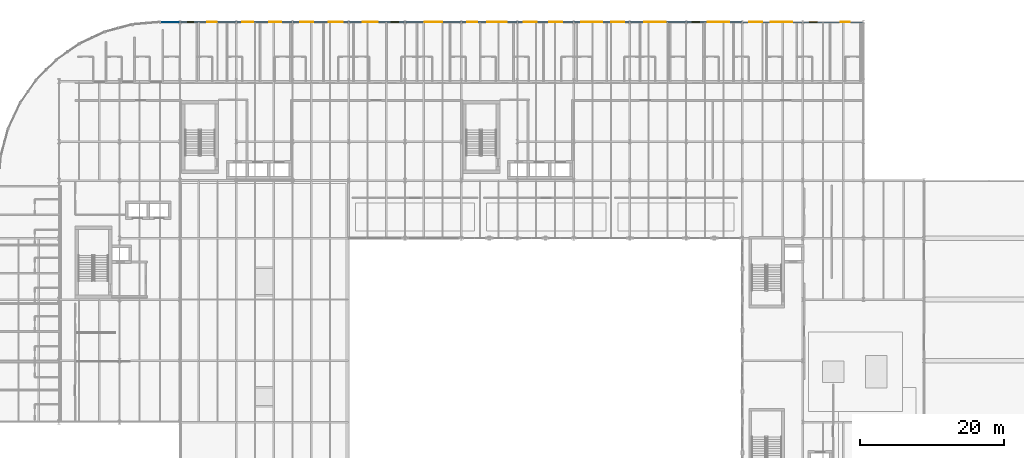
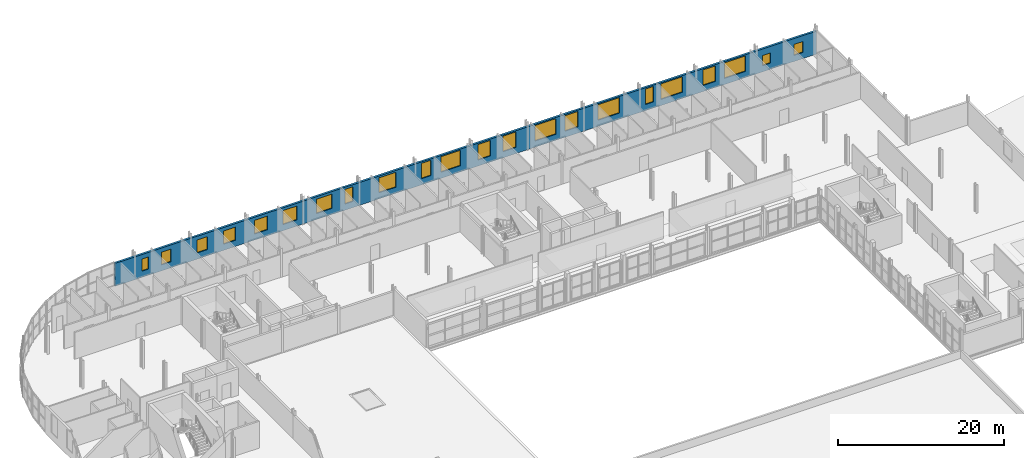
# One storey, part 48 of 58: 22 windows, 1 wall, 22 openings.
"""IFC4 building model written with IfcOpenShell, lengths in metres."""

from ifc_helpers import new_model, si_unit, direction, frame, frame_2d, origin, place, context, subcontext, project, spatial, rectangle, extrude, material, layer, layer_set, type_object, element, fill, save


model = new_model("IFC4")

# Units and contexts
model_context = context("Model", 3, precision=1e-05, world=origin(), true_north=direction((0.0, 1.0)))
body_context = subcontext(model_context, "Body", "Model", "MODEL_VIEW")
ifc_project = project(units=[si_unit("LENGTHUNIT", "METRE"), si_unit("AREAUNIT", "SQUARE_METRE"), si_unit("VOLUMEUNIT", "CUBIC_METRE"), si_unit("PLANEANGLEUNIT", "RADIAN"), si_unit("MASSUNIT", "GRAM", prefix="KILO")], contexts=[model_context])

# Site, building, storey
site_placement = place(None, origin())
site = spatial("IfcSite", under=ifc_project, at=site_placement, CompositionType="ELEMENT")
building_placement = place(site_placement, origin())
building = spatial("IfcBuilding", under=site, at=building_placement, Name="Sefraquen Railside Congress Hotel", CompositionType="ELEMENT")
storey_placement = place(building_placement, frame((0.0, 0.0, 16.199951171875)))
storey = spatial("IfcBuildingStorey", under=building, at=storey_placement, Name="L03", CompositionType="ELEMENT", Elevation=16.199951171875)

# Wall, openings, windows
ifc_material_1 = material(Name="Ochre Rabat calcarenite limestone and Concrete C40/50 backing", Category="masonry")
ifc_layer = layer(ifc_material_1, 0.300048828125)
ifc_layer_set = layer_set([ifc_layer], Name="Ochre Rabat calcarenite limestone and Concrete C40/50 backing")
wall_type = type_object("IfcWallType", Name="TW-EW-300", PredefinedType="STANDARD", material=ifc_layer_set)
wall_placement = place(storey_placement, frame((22.5, 118.0, 0.0), z_axis=(0.0, 0.0, 1.0), x_axis=(1.0, 0.0, 0.0)))
wall = element("IfcWall", 1, at=wall_placement, inside=storey, type_object=wall_type, Name="Hotel L03 North Boulevard limestone facade wall", PredefinedType="STANDARD", context=body_context, shape_type="SweptSolid", body=[
    extrude(rectangle(XDim=97.5, YDim=0.300048828125, at=frame_2d((48.75, 0.0))), origin(), (0.0, 0.0, 1.0), 3.360107421875),
])
opening_1_placement = place(wall_placement, frame((3.720947265625, 0.0, 0.89990234375)))
opening_1 = element("IfcOpeningElement", 2, at=opening_1_placement, cuts=wall, Name="Opening WN-01", PredefinedType="OPENING", context=body_context, shape_type="SweptSolid", body=[
    extrude(rectangle(XDim=0.89990234375, YDim=1.800048828125, at=frame_2d((0.449951171875, 0.89990234375))), frame((0.0, 0.159912109375, 0.0), z_axis=(0.0, -1.0, 0.0), x_axis=(1.0, 0.0, 0.0)), (0.0, 0.0, 1.0), 0.320068359375),
])
opening_2_placement = place(wall_placement, frame((6.447021484375, 0.0, 0.89990234375)))
opening_2 = element("IfcOpeningElement", 3, at=opening_2_placement, cuts=wall, Name="Opening WN-02", PredefinedType="OPENING", context=body_context, shape_type="SweptSolid", body=[
    extrude(rectangle(XDim=1.35009765625, YDim=1.85009765625, at=frame_2d((0.675048828125, 0.925048828125))), frame((0.0, 0.159912109375, 0.0), z_axis=(0.0, -1.0, 0.0), x_axis=(1.0, 0.0, 0.0)), (0.0, 0.0, 1.0), 0.320068359375),
])
opening_3_placement = place(wall_placement, frame((11.363037109375, 0.0, 0.89990234375)))
opening_3 = element("IfcOpeningElement", 4, at=opening_3_placement, cuts=wall, Name="Opening WN-03", PredefinedType="OPENING", context=body_context, shape_type="SweptSolid", body=[
    extrude(rectangle(XDim=1.5, YDim=1.89990234375, at=frame_2d((0.75, 0.949951171875))), frame((0.0, 0.159912109375, 0.0), z_axis=(0.0, -1.0, 0.0), x_axis=(1.0, 0.0, 0.0)), (0.0, 0.0, 1.0), 0.320068359375),
])
opening_4_placement = place(wall_placement, frame((15.077880859375, 0.0, 0.89990234375)))
opening_4 = element("IfcOpeningElement", 5, at=opening_4_placement, cuts=wall, Name="Opening WN-04", PredefinedType="OPENING", context=body_context, shape_type="SweptSolid", body=[
    extrude(rectangle(XDim=1.64990234375, YDim=1.949951171875, at=frame_2d((0.824951171875, 0.97509765625))), frame((0.0, 0.159912109375, 0.0), z_axis=(0.0, -1.0, 0.0), x_axis=(1.0, 0.0, 0.0)), (0.0, 0.0, 1.0), 0.320068359375),
])
opening_5_placement = place(wall_placement, frame((19.39501953125, 0.0, 0.89990234375)))
opening_5 = element("IfcOpeningElement", 6, at=opening_5_placement, cuts=wall, Name="Opening WN-05", PredefinedType="OPENING", context=body_context, shape_type="SweptSolid", body=[
    extrude(rectangle(XDim=1.800048828125, YDim=2.0, at=frame_2d((0.89990234375, 1.0))), frame((0.0, 0.159912109375, 0.0), z_axis=(0.0, -1.0, 0.0), x_axis=(1.0, 0.0, 0.0)), (0.0, 0.0, 1.0), 0.320068359375),
])
opening_6_placement = place(wall_placement, frame((23.31005859375, 0.0, 0.89990234375)))
opening_6 = element("IfcOpeningElement", 7, at=opening_6_placement, cuts=wall, Name="Opening WN-06", PredefinedType="OPENING", context=body_context, shape_type="SweptSolid", body=[
    extrude(rectangle(XDim=1.949951171875, YDim=2.050048828125, at=frame_2d((0.97509765625, 1.02490234375))), frame((0.0, 0.159912109375, 0.0), z_axis=(0.0, -1.0, 0.0), x_axis=(1.0, 0.0, 0.0)), (0.0, 0.0, 1.0), 0.320068359375),
])
opening_7_placement = place(wall_placement, frame((28.02587890625, 0.0, 0.89990234375)))
opening_7 = element("IfcOpeningElement", 8, at=opening_7_placement, cuts=wall, Name="Opening WN-07", PredefinedType="OPENING", context=body_context, shape_type="SweptSolid", body=[
    extrude(rectangle(XDim=2.10009765625, YDim=2.10009765625, at=frame_2d((1.050048828125, 1.050048828125))), frame((0.0, 0.159912109375, 0.0), z_axis=(0.0, -1.0, 0.0), x_axis=(1.0, 0.0, 0.0)), (0.0, 0.0, 1.0), 0.320068359375),
])
opening_8_placement = place(wall_placement, frame((31.94091796875, 0.0, 0.89990234375)))
opening_8 = element("IfcOpeningElement", 9, at=opening_8_placement, cuts=wall, Name="Opening WN-08", PredefinedType="OPENING", context=body_context, shape_type="SweptSolid", body=[
    extrude(rectangle(XDim=1.10009765625, YDim=2.14990234375, at=frame_2d((0.550048828125, 1.074951171875))), frame((0.0, 0.159912109375, 0.0), z_axis=(0.0, -1.0, 0.0), x_axis=(1.0, 0.0, 0.0)), (0.0, 0.0, 1.0), 0.320068359375),
])
opening_9_placement = place(wall_placement, frame((36.656982421875, 0.0, 0.89990234375)))
opening_9 = element("IfcOpeningElement", 10, at=opening_9_placement, cuts=wall, Name="Opening WN-09", PredefinedType="OPENING", context=body_context, shape_type="SweptSolid", body=[
    extrude(rectangle(XDim=2.39990234375, YDim=2.199951171875, at=frame_2d((1.199951171875, 1.10009765625))), frame((0.0, 0.159912109375, 0.0), z_axis=(0.0, -1.0, 0.0), x_axis=(1.0, 0.0, 0.0)), (0.0, 0.0, 1.0), 0.320068359375),
])
opening_10_placement = place(wall_placement, frame((42.573974609375, 0.0, 0.89990234375)))
opening_10 = element("IfcOpeningElement", 11, at=opening_10_placement, cuts=wall, Name="Opening WN-10", PredefinedType="OPENING", context=body_context, shape_type="SweptSolid", body=[
    extrude(rectangle(XDim=1.35009765625, YDim=2.25, at=frame_2d((0.675048828125, 1.125))), frame((0.0, 0.159912109375, 0.0), z_axis=(0.0, -1.0, 0.0), x_axis=(1.0, 0.0, 0.0)), (0.0, 0.0, 1.0), 0.320068359375),
])
opening_11_placement = place(wall_placement, frame((45.2890625, 0.0, 0.89990234375)))
opening_11 = element("IfcOpeningElement", 12, at=opening_11_placement, cuts=wall, Name="Opening WN-11", PredefinedType="OPENING", context=body_context, shape_type="SweptSolid", body=[
    extrude(rectangle(XDim=2.699951171875, YDim=2.280029296875, at=frame_2d((1.35009765625, 1.14013671875))), frame((0.0, 0.159912109375, 0.0), z_axis=(0.0, -1.0, 0.0), x_axis=(1.0, 0.0, 0.0)), (0.0, 0.0, 1.0), 0.320068359375),
])
opening_12_placement = place(wall_placement, frame((50.406005859375, 0.0, 0.89990234375)))
opening_12 = element("IfcOpeningElement", 13, at=opening_12_placement, cuts=wall, Name="Opening WN-12", PredefinedType="OPENING", context=body_context, shape_type="SweptSolid", body=[
    extrude(rectangle(XDim=1.800048828125, YDim=2.280029296875, at=frame_2d((0.89990234375, 1.14013671875))), frame((0.0, 0.159912109375, 0.0), z_axis=(0.0, -1.0, 0.0), x_axis=(1.0, 0.0, 0.0)), (0.0, 0.0, 1.0), 0.320068359375),
])
opening_13_placement = place(wall_placement, frame((53.922119140625, 0.0, 0.89990234375)))
opening_13 = element("IfcOpeningElement", 14, at=opening_13_placement, cuts=wall, Name="Opening WN-13", PredefinedType="OPENING", context=body_context, shape_type="SweptSolid", body=[
    extrude(rectangle(XDim=1.800048828125, YDim=2.280029296875, at=frame_2d((0.89990234375, 1.14013671875))), frame((0.0, 0.159912109375, 0.0), z_axis=(0.0, -1.0, 0.0), x_axis=(1.0, 0.0, 0.0)), (0.0, 0.0, 1.0), 0.320068359375),
])
opening_14_placement = place(wall_placement, frame((58.33203125, 0.0, 0.89990234375)))
opening_14 = element("IfcOpeningElement", 15, at=opening_14_placement, cuts=wall, Name="Opening WN-14", PredefinedType="OPENING", context=body_context, shape_type="SweptSolid", body=[
    extrude(rectangle(XDim=2.9609375, YDim=2.280029296875, at=frame_2d((1.48046875, 1.14013671875))), frame((0.0, 0.159912109375, 0.0), z_axis=(0.0, -1.0, 0.0), x_axis=(1.0, 0.0, 0.0)), (0.0, 0.0, 1.0), 0.320068359375),
])
opening_15_placement = place(wall_placement, frame((62.512939453125, 0.0, 0.89990234375)))
opening_15 = element("IfcOpeningElement", 16, at=opening_15_placement, cuts=wall, Name="Opening WN-15", PredefinedType="OPENING", context=body_context, shape_type="SweptSolid", body=[
    extrude(rectangle(XDim=1.800048828125, YDim=2.280029296875, at=frame_2d((0.89990234375, 1.14013671875))), frame((0.0, 0.159912109375, 0.0), z_axis=(0.0, -1.0, 0.0), x_axis=(1.0, 0.0, 0.0)), (0.0, 0.0, 1.0), 0.320068359375),
])
opening_16_placement = place(wall_placement, frame((67.114013671875, 0.0, 0.89990234375)))
opening_16 = element("IfcOpeningElement", 17, at=opening_16_placement, cuts=wall, Name="Opening WN-16", PredefinedType="OPENING", context=body_context, shape_type="SweptSolid", body=[
    extrude(rectangle(XDim=2.9609375, YDim=2.280029296875, at=frame_2d((1.48046875, 1.14013671875))), frame((0.0, 0.159912109375, 0.0), z_axis=(0.0, -1.0, 0.0), x_axis=(1.0, 0.0, 0.0)), (0.0, 0.0, 1.0), 0.320068359375),
])
opening_17_placement = place(wall_placement, frame((73.695068359375, 0.0, 0.89990234375)))
opening_17 = element("IfcOpeningElement", 18, at=opening_17_placement, cuts=wall, Name="Opening WN-17", PredefinedType="OPENING", context=body_context, shape_type="SweptSolid", body=[
    extrude(rectangle(XDim=1.10009765625, YDim=2.280029296875, at=frame_2d((0.550048828125, 1.14013671875))), frame((0.0, 0.159912109375, 0.0), z_axis=(0.0, -1.0, 0.0), x_axis=(1.0, 0.0, 0.0)), (0.0, 0.0, 1.0), 0.320068359375),
])
opening_18_placement = place(wall_placement, frame((75.89501953125, 0.0, 0.89990234375)))
opening_18 = element("IfcOpeningElement", 19, at=opening_18_placement, cuts=wall, Name="Opening WN-18", PredefinedType="OPENING", context=body_context, shape_type="SweptSolid", body=[
    extrude(rectangle(XDim=2.9609375, YDim=2.280029296875, at=frame_2d((1.48046875, 1.14013671875))), frame((0.0, 0.159912109375, 0.0), z_axis=(0.0, -1.0, 0.0), x_axis=(1.0, 0.0, 0.0)), (0.0, 0.0, 1.0), 0.320068359375),
])
opening_19_placement = place(wall_placement, frame((81.676025390625, 0.0, 0.89990234375)))
opening_19 = element("IfcOpeningElement", 20, at=opening_19_placement, cuts=wall, Name="Opening WN-19", PredefinedType="OPENING", context=body_context, shape_type="SweptSolid", body=[
    extrude(rectangle(XDim=1.800048828125, YDim=2.280029296875, at=frame_2d((0.89990234375, 1.14013671875))), frame((0.0, 0.159912109375, 0.0), z_axis=(0.0, -1.0, 0.0), x_axis=(1.0, 0.0, 0.0)), (0.0, 0.0, 1.0), 0.320068359375),
])
opening_20_placement = place(wall_placement, frame((84.677001953125, 0.0, 0.89990234375)))
opening_20 = element("IfcOpeningElement", 21, at=opening_20_placement, cuts=wall, Name="Opening WN-20", PredefinedType="OPENING", context=body_context, shape_type="SweptSolid", body=[
    extrude(rectangle(XDim=2.9609375, YDim=2.280029296875, at=frame_2d((1.48046875, 1.14013671875))), frame((0.0, 0.159912109375, 0.0), z_axis=(0.0, -1.0, 0.0), x_axis=(1.0, 0.0, 0.0)), (0.0, 0.0, 1.0), 0.320068359375),
])
opening_21_placement = place(wall_placement, frame((89.9990234375, 0.0, 0.89990234375)))
opening_21 = element("IfcOpeningElement", 22, at=opening_21_placement, cuts=wall, Name="Opening WN-21", PredefinedType="OPENING", context=body_context, shape_type="SweptSolid", body=[
    extrude(rectangle(XDim=1.10009765625, YDim=1.5, at=frame_2d((0.550048828125, 0.75))), frame((0.0, 0.159912109375, 0.0), z_axis=(0.0, -1.0, 0.0), x_axis=(1.0, 0.0, 0.0)), (0.0, 0.0, 1.0), 0.320068359375),
])
opening_22_placement = place(wall_placement, frame((94.35009765625, 0.0, 0.89990234375)))
opening_22 = element("IfcOpeningElement", 23, at=opening_22_placement, cuts=wall, Name="Opening WN-22", PredefinedType="OPENING", context=body_context, shape_type="SweptSolid", body=[
    extrude(rectangle(XDim=1.25, YDim=1.60009765625, at=frame_2d((0.625, 0.800048828125))), frame((0.0, 0.159912109375, 0.0), z_axis=(0.0, -1.0, 0.0), x_axis=(1.0, 0.0, 0.0)), (0.0, 0.0, 1.0), 0.320068359375),
])
ifc_material_2 = material(Name="Solar-control low-E double glazing in bronze-anodised frame", Category="glass")
window_type_1 = type_object("IfcWindowType", Name="TWN-W-01", PartitioningType="DOUBLE_PANEL_VERTICAL", PredefinedType="WINDOW", material=ifc_material_2)
window_1_placement = place(opening_1_placement, origin())
window_1 = element("IfcWindow", 24, at=window_1_placement, inside=storey, type_object=window_type_1, Name="Guest room north window SP-L03-RM-001", OverallHeight=1.800048828125, OverallWidth=0.89990234375, PartitioningType="DOUBLE_PANEL_VERTICAL", PredefinedType="WINDOW", context=body_context, shape_type="SweptSolid", body=[
    extrude(rectangle(XDim=0.89990234375, YDim=1.800048828125, at=frame_2d((0.449951171875, 0.89990234375))), frame((0.0, 0.030029296875, 0.0), z_axis=(0.0, -1.0, 0.0), x_axis=(1.0, 0.0, 0.0)), (0.0, 0.0, 1.0), 0.06005859375),
])
fill(opening_1, window_1)
window_type_2 = type_object("IfcWindowType", Name="TWN-W-02", PartitioningType="DOUBLE_PANEL_VERTICAL", PredefinedType="WINDOW", material=ifc_material_2)
window_2_placement = place(opening_2_placement, origin())
window_2 = element("IfcWindow", 25, at=window_2_placement, inside=storey, type_object=window_type_2, Name="Guest room north window SP-L03-RM-002", OverallHeight=1.85009765625, OverallWidth=1.35009765625, PartitioningType="DOUBLE_PANEL_VERTICAL", PredefinedType="WINDOW", context=body_context, shape_type="SweptSolid", body=[
    extrude(rectangle(XDim=1.35009765625, YDim=1.85009765625, at=frame_2d((0.675048828125, 0.925048828125))), frame((0.0, 0.030029296875, 0.0), z_axis=(0.0, -1.0, 0.0), x_axis=(1.0, 0.0, 0.0)), (0.0, 0.0, 1.0), 0.06005859375),
])
fill(opening_2, window_2)
window_type_3 = type_object("IfcWindowType", Name="TWN-W-03", PartitioningType="DOUBLE_PANEL_VERTICAL", PredefinedType="WINDOW", material=ifc_material_2)
window_3_placement = place(opening_3_placement, origin())
window_3 = element("IfcWindow", 26, at=window_3_placement, inside=storey, type_object=window_type_3, Name="Guest room north window SP-L03-RM-003", OverallHeight=1.89990234375, OverallWidth=1.5, PartitioningType="DOUBLE_PANEL_VERTICAL", PredefinedType="WINDOW", context=body_context, shape_type="SweptSolid", body=[
    extrude(rectangle(XDim=1.5, YDim=1.89990234375, at=frame_2d((0.75, 0.949951171875))), frame((0.0, 0.030029296875, 0.0), z_axis=(0.0, -1.0, 0.0), x_axis=(1.0, 0.0, 0.0)), (0.0, 0.0, 1.0), 0.06005859375),
])
fill(opening_3, window_3)
window_type_4 = type_object("IfcWindowType", Name="TWN-W-04", PartitioningType="DOUBLE_PANEL_VERTICAL", PredefinedType="WINDOW", material=ifc_material_2)
window_4_placement = place(opening_4_placement, origin())
window_4 = element("IfcWindow", 27, at=window_4_placement, inside=storey, type_object=window_type_4, Name="Guest room north window SP-L03-RM-004", OverallHeight=1.949951171875, OverallWidth=1.64990234375, PartitioningType="DOUBLE_PANEL_VERTICAL", PredefinedType="WINDOW", context=body_context, shape_type="SweptSolid", body=[
    extrude(rectangle(XDim=1.64990234375, YDim=1.949951171875, at=frame_2d((0.824951171875, 0.97509765625))), frame((0.0, 0.030029296875, 0.0), z_axis=(0.0, -1.0, 0.0), x_axis=(1.0, 0.0, 0.0)), (0.0, 0.0, 1.0), 0.06005859375),
])
fill(opening_4, window_4)
window_type_5 = type_object("IfcWindowType", Name="TWN-W-05", PartitioningType="DOUBLE_PANEL_VERTICAL", PredefinedType="WINDOW", material=ifc_material_2)
window_5_placement = place(opening_5_placement, origin())
window_5 = element("IfcWindow", 28, at=window_5_placement, inside=storey, type_object=window_type_5, Name="Guest room north window SP-L03-RM-005", OverallHeight=2.0, OverallWidth=1.800048828125, PartitioningType="DOUBLE_PANEL_VERTICAL", PredefinedType="WINDOW", context=body_context, shape_type="SweptSolid", body=[
    extrude(rectangle(XDim=1.800048828125, YDim=2.0, at=frame_2d((0.89990234375, 1.0))), frame((0.0, 0.030029296875, 0.0), z_axis=(0.0, -1.0, 0.0), x_axis=(1.0, 0.0, 0.0)), (0.0, 0.0, 1.0), 0.06005859375),
])
fill(opening_5, window_5)
window_type_6 = type_object("IfcWindowType", Name="TWN-W-06", PartitioningType="DOUBLE_PANEL_VERTICAL", PredefinedType="WINDOW", material=ifc_material_2)
window_6_placement = place(opening_6_placement, origin())
window_6 = element("IfcWindow", 29, at=window_6_placement, inside=storey, type_object=window_type_6, Name="Guest room north window SP-L03-RM-006", OverallHeight=2.050048828125, OverallWidth=1.949951171875, PartitioningType="DOUBLE_PANEL_VERTICAL", PredefinedType="WINDOW", context=body_context, shape_type="SweptSolid", body=[
    extrude(rectangle(XDim=1.949951171875, YDim=2.050048828125, at=frame_2d((0.97509765625, 1.02490234375))), frame((0.0, 0.030029296875, 0.0), z_axis=(0.0, -1.0, 0.0), x_axis=(1.0, 0.0, 0.0)), (0.0, 0.0, 1.0), 0.06005859375),
])
fill(opening_6, window_6)
window_type_7 = type_object("IfcWindowType", Name="TWN-W-07", PartitioningType="DOUBLE_PANEL_VERTICAL", PredefinedType="WINDOW", material=ifc_material_2)
window_7_placement = place(opening_7_placement, origin())
window_7 = element("IfcWindow", 30, at=window_7_placement, inside=storey, type_object=window_type_7, Name="Guest room north window SP-L03-RM-007", OverallHeight=2.10009765625, OverallWidth=2.10009765625, PartitioningType="DOUBLE_PANEL_VERTICAL", PredefinedType="WINDOW", context=body_context, shape_type="SweptSolid", body=[
    extrude(rectangle(XDim=2.10009765625, YDim=2.10009765625, at=frame_2d((1.050048828125, 1.050048828125))), frame((0.0, 0.030029296875, 0.0), z_axis=(0.0, -1.0, 0.0), x_axis=(1.0, 0.0, 0.0)), (0.0, 0.0, 1.0), 0.06005859375),
])
fill(opening_7, window_7)
window_type_8 = type_object("IfcWindowType", Name="TWN-W-08", PartitioningType="DOUBLE_PANEL_VERTICAL", PredefinedType="WINDOW", material=ifc_material_2)
window_8_placement = place(opening_8_placement, origin())
window_8 = element("IfcWindow", 31, at=window_8_placement, inside=storey, type_object=window_type_8, Name="Guest room north window SP-L03-RM-008", OverallHeight=2.14990234375, OverallWidth=1.10009765625, PartitioningType="DOUBLE_PANEL_VERTICAL", PredefinedType="WINDOW", context=body_context, shape_type="SweptSolid", body=[
    extrude(rectangle(XDim=1.10009765625, YDim=2.14990234375, at=frame_2d((0.550048828125, 1.074951171875))), frame((0.0, 0.030029296875, 0.0), z_axis=(0.0, -1.0, 0.0), x_axis=(1.0, 0.0, 0.0)), (0.0, 0.0, 1.0), 0.06005859375),
])
fill(opening_8, window_8)
window_type_9 = type_object("IfcWindowType", Name="TWN-W-09", PartitioningType="DOUBLE_PANEL_VERTICAL", PredefinedType="WINDOW", material=ifc_material_2)
window_9_placement = place(opening_9_placement, origin())
window_9 = element("IfcWindow", 32, at=window_9_placement, inside=storey, type_object=window_type_9, Name="Guest room north window SP-L03-RM-009", OverallHeight=2.199951171875, OverallWidth=2.39990234375, PartitioningType="DOUBLE_PANEL_VERTICAL", PredefinedType="WINDOW", context=body_context, shape_type="SweptSolid", body=[
    extrude(rectangle(XDim=2.39990234375, YDim=2.199951171875, at=frame_2d((1.199951171875, 1.10009765625))), frame((0.0, 0.030029296875, 0.0), z_axis=(0.0, -1.0, 0.0), x_axis=(1.0, 0.0, 0.0)), (0.0, 0.0, 1.0), 0.06005859375),
])
fill(opening_9, window_9)
window_type_10 = type_object("IfcWindowType", Name="TWN-W-10", PartitioningType="DOUBLE_PANEL_VERTICAL", PredefinedType="WINDOW", material=ifc_material_2)
window_10_placement = place(opening_10_placement, origin())
window_10 = element("IfcWindow", 33, at=window_10_placement, inside=storey, type_object=window_type_10, Name="Guest room north window SP-L03-RM-010", OverallHeight=2.25, OverallWidth=1.35009765625, PartitioningType="DOUBLE_PANEL_VERTICAL", PredefinedType="WINDOW", context=body_context, shape_type="SweptSolid", body=[
    extrude(rectangle(XDim=1.35009765625, YDim=2.25, at=frame_2d((0.675048828125, 1.125))), frame((0.0, 0.030029296875, 0.0), z_axis=(0.0, -1.0, 0.0), x_axis=(1.0, 0.0, 0.0)), (0.0, 0.0, 1.0), 0.06005859375),
])
fill(opening_10, window_10)
window_type_11 = type_object("IfcWindowType", Name="TWN-W-11", PartitioningType="DOUBLE_PANEL_VERTICAL", PredefinedType="WINDOW", material=ifc_material_2)
window_11_placement = place(opening_11_placement, origin())
window_11 = element("IfcWindow", 34, at=window_11_placement, inside=storey, type_object=window_type_11, Name="Guest room north window SP-L03-RM-011", OverallHeight=2.280029296875, OverallWidth=2.699951171875, PartitioningType="DOUBLE_PANEL_VERTICAL", PredefinedType="WINDOW", context=body_context, shape_type="SweptSolid", body=[
    extrude(rectangle(XDim=2.699951171875, YDim=2.280029296875, at=frame_2d((1.35009765625, 1.14013671875))), frame((0.0, 0.030029296875, 0.0), z_axis=(0.0, -1.0, 0.0), x_axis=(1.0, 0.0, 0.0)), (0.0, 0.0, 1.0), 0.06005859375),
])
fill(opening_11, window_11)
window_type_12 = type_object("IfcWindowType", Name="TWN-W-12", PartitioningType="DOUBLE_PANEL_VERTICAL", PredefinedType="WINDOW", material=ifc_material_2)
window_12_placement = place(opening_12_placement, origin())
window_12 = element("IfcWindow", 35, at=window_12_placement, inside=storey, type_object=window_type_12, Name="Guest room north window SP-L03-RM-012", OverallHeight=2.280029296875, OverallWidth=1.800048828125, PartitioningType="DOUBLE_PANEL_VERTICAL", PredefinedType="WINDOW", context=body_context, shape_type="SweptSolid", body=[
    extrude(rectangle(XDim=1.800048828125, YDim=2.280029296875, at=frame_2d((0.89990234375, 1.14013671875))), frame((0.0, 0.030029296875, 0.0), z_axis=(0.0, -1.0, 0.0), x_axis=(1.0, 0.0, 0.0)), (0.0, 0.0, 1.0), 0.06005859375),
])
fill(opening_12, window_12)
window_type_13 = type_object("IfcWindowType", Name="TWN-W-13", PartitioningType="DOUBLE_PANEL_VERTICAL", PredefinedType="WINDOW", material=ifc_material_2)
window_13_placement = place(opening_13_placement, origin())
window_13 = element("IfcWindow", 36, at=window_13_placement, inside=storey, type_object=window_type_13, Name="Guest room north window SP-L03-RM-013", OverallHeight=2.280029296875, OverallWidth=1.800048828125, PartitioningType="DOUBLE_PANEL_VERTICAL", PredefinedType="WINDOW", context=body_context, shape_type="SweptSolid", body=[
    extrude(rectangle(XDim=1.800048828125, YDim=2.280029296875, at=frame_2d((0.89990234375, 1.14013671875))), frame((0.0, 0.030029296875, 0.0), z_axis=(0.0, -1.0, 0.0), x_axis=(1.0, 0.0, 0.0)), (0.0, 0.0, 1.0), 0.06005859375),
])
fill(opening_13, window_13)
window_type_14 = type_object("IfcWindowType", Name="TWN-W-14", PartitioningType="DOUBLE_PANEL_VERTICAL", PredefinedType="WINDOW", material=ifc_material_2)
window_14_placement = place(opening_14_placement, origin())
window_14 = element("IfcWindow", 37, at=window_14_placement, inside=storey, type_object=window_type_14, Name="Guest room north window SP-L03-RM-014", OverallHeight=2.280029296875, OverallWidth=2.9609375, PartitioningType="DOUBLE_PANEL_VERTICAL", PredefinedType="WINDOW", context=body_context, shape_type="SweptSolid", body=[
    extrude(rectangle(XDim=2.9609375, YDim=2.280029296875, at=frame_2d((1.48046875, 1.14013671875))), frame((0.0, 0.030029296875, 0.0), z_axis=(0.0, -1.0, 0.0), x_axis=(1.0, 0.0, 0.0)), (0.0, 0.0, 1.0), 0.06005859375),
])
fill(opening_14, window_14)
window_type_15 = type_object("IfcWindowType", Name="TWN-W-15", PartitioningType="DOUBLE_PANEL_VERTICAL", PredefinedType="WINDOW", material=ifc_material_2)
window_15_placement = place(opening_15_placement, origin())
window_15 = element("IfcWindow", 38, at=window_15_placement, inside=storey, type_object=window_type_15, Name="Guest room north window SP-L03-RM-015", OverallHeight=2.280029296875, OverallWidth=1.800048828125, PartitioningType="DOUBLE_PANEL_VERTICAL", PredefinedType="WINDOW", context=body_context, shape_type="SweptSolid", body=[
    extrude(rectangle(XDim=1.800048828125, YDim=2.280029296875, at=frame_2d((0.89990234375, 1.14013671875))), frame((0.0, 0.030029296875, 0.0), z_axis=(0.0, -1.0, 0.0), x_axis=(1.0, 0.0, 0.0)), (0.0, 0.0, 1.0), 0.06005859375),
])
fill(opening_15, window_15)
window_type_16 = type_object("IfcWindowType", Name="TWN-W-16", PartitioningType="DOUBLE_PANEL_VERTICAL", PredefinedType="WINDOW", material=ifc_material_2)
window_16_placement = place(opening_16_placement, origin())
window_16 = element("IfcWindow", 39, at=window_16_placement, inside=storey, type_object=window_type_16, Name="Guest room north window SP-L03-RM-016", OverallHeight=2.280029296875, OverallWidth=2.9609375, PartitioningType="DOUBLE_PANEL_VERTICAL", PredefinedType="WINDOW", context=body_context, shape_type="SweptSolid", body=[
    extrude(rectangle(XDim=2.9609375, YDim=2.280029296875, at=frame_2d((1.48046875, 1.14013671875))), frame((0.0, 0.030029296875, 0.0), z_axis=(0.0, -1.0, 0.0), x_axis=(1.0, 0.0, 0.0)), (0.0, 0.0, 1.0), 0.06005859375),
])
fill(opening_16, window_16)
window_type_17 = type_object("IfcWindowType", Name="TWN-W-17", PartitioningType="DOUBLE_PANEL_VERTICAL", PredefinedType="WINDOW", material=ifc_material_2)
window_17_placement = place(opening_17_placement, origin())
window_17 = element("IfcWindow", 40, at=window_17_placement, inside=storey, type_object=window_type_17, Name="Guest room north window SP-L03-RM-017", OverallHeight=2.280029296875, OverallWidth=1.10009765625, PartitioningType="DOUBLE_PANEL_VERTICAL", PredefinedType="WINDOW", context=body_context, shape_type="SweptSolid", body=[
    extrude(rectangle(XDim=1.10009765625, YDim=2.280029296875, at=frame_2d((0.550048828125, 1.14013671875))), frame((0.0, 0.030029296875, 0.0), z_axis=(0.0, -1.0, 0.0), x_axis=(1.0, 0.0, 0.0)), (0.0, 0.0, 1.0), 0.06005859375),
])
fill(opening_17, window_17)
window_type_18 = type_object("IfcWindowType", Name="TWN-W-18", PartitioningType="DOUBLE_PANEL_VERTICAL", PredefinedType="WINDOW", material=ifc_material_2)
window_18_placement = place(opening_18_placement, origin())
window_18 = element("IfcWindow", 41, at=window_18_placement, inside=storey, type_object=window_type_18, Name="Guest room north window SP-L03-RM-018", OverallHeight=2.280029296875, OverallWidth=2.9609375, PartitioningType="DOUBLE_PANEL_VERTICAL", PredefinedType="WINDOW", context=body_context, shape_type="SweptSolid", body=[
    extrude(rectangle(XDim=2.9609375, YDim=2.280029296875, at=frame_2d((1.48046875, 1.14013671875))), frame((0.0, 0.030029296875, 0.0), z_axis=(0.0, -1.0, 0.0), x_axis=(1.0, 0.0, 0.0)), (0.0, 0.0, 1.0), 0.06005859375),
])
fill(opening_18, window_18)
window_type_19 = type_object("IfcWindowType", Name="TWN-W-19", PartitioningType="DOUBLE_PANEL_VERTICAL", PredefinedType="WINDOW", material=ifc_material_2)
window_19_placement = place(opening_19_placement, origin())
window_19 = element("IfcWindow", 42, at=window_19_placement, inside=storey, type_object=window_type_19, Name="Guest room north window SP-L03-RM-019", OverallHeight=2.280029296875, OverallWidth=1.800048828125, PartitioningType="DOUBLE_PANEL_VERTICAL", PredefinedType="WINDOW", context=body_context, shape_type="SweptSolid", body=[
    extrude(rectangle(XDim=1.800048828125, YDim=2.280029296875, at=frame_2d((0.89990234375, 1.14013671875))), frame((0.0, 0.030029296875, 0.0), z_axis=(0.0, -1.0, 0.0), x_axis=(1.0, 0.0, 0.0)), (0.0, 0.0, 1.0), 0.06005859375),
])
fill(opening_19, window_19)
window_type_20 = type_object("IfcWindowType", Name="TWN-W-20", PartitioningType="DOUBLE_PANEL_VERTICAL", PredefinedType="WINDOW", material=ifc_material_2)
window_20_placement = place(opening_20_placement, origin())
window_20 = element("IfcWindow", 43, at=window_20_placement, inside=storey, type_object=window_type_20, Name="Guest room north window SP-L03-RM-020", OverallHeight=2.280029296875, OverallWidth=2.9609375, PartitioningType="DOUBLE_PANEL_VERTICAL", PredefinedType="WINDOW", context=body_context, shape_type="SweptSolid", body=[
    extrude(rectangle(XDim=2.9609375, YDim=2.280029296875, at=frame_2d((1.48046875, 1.14013671875))), frame((0.0, 0.030029296875, 0.0), z_axis=(0.0, -1.0, 0.0), x_axis=(1.0, 0.0, 0.0)), (0.0, 0.0, 1.0), 0.06005859375),
])
fill(opening_20, window_20)
window_type_21 = type_object("IfcWindowType", Name="TWN-W-21", PartitioningType="DOUBLE_PANEL_VERTICAL", PredefinedType="WINDOW", material=ifc_material_2)
window_21_placement = place(opening_21_placement, origin())
window_21 = element("IfcWindow", 44, at=window_21_placement, inside=storey, type_object=window_type_21, Name="Guest room north window SP-L03-RM-021", OverallHeight=1.5, OverallWidth=1.10009765625, PartitioningType="DOUBLE_PANEL_VERTICAL", PredefinedType="WINDOW", context=body_context, shape_type="SweptSolid", body=[
    extrude(rectangle(XDim=1.10009765625, YDim=1.5, at=frame_2d((0.550048828125, 0.75))), frame((0.0, 0.030029296875, 0.0), z_axis=(0.0, -1.0, 0.0), x_axis=(1.0, 0.0, 0.0)), (0.0, 0.0, 1.0), 0.06005859375),
])
fill(opening_21, window_21)
window_type_22 = type_object("IfcWindowType", Name="TWN-W-22", PartitioningType="DOUBLE_PANEL_VERTICAL", PredefinedType="WINDOW", material=ifc_material_2)
window_22_placement = place(opening_22_placement, origin())
window_22 = element("IfcWindow", 45, at=window_22_placement, inside=storey, type_object=window_type_22, Name="Guest room north window SP-L03-RM-022", OverallHeight=1.60009765625, OverallWidth=1.25, PartitioningType="DOUBLE_PANEL_VERTICAL", PredefinedType="WINDOW", context=body_context, shape_type="SweptSolid", body=[
    extrude(rectangle(XDim=1.25, YDim=1.60009765625, at=frame_2d((0.625, 0.800048828125))), frame((0.0, 0.030029296875, 0.0), z_axis=(0.0, -1.0, 0.0), x_axis=(1.0, 0.0, 0.0)), (0.0, 0.0, 1.0), 0.06005859375),
])
fill(opening_22, window_22)

save(model, "model.ifc")
